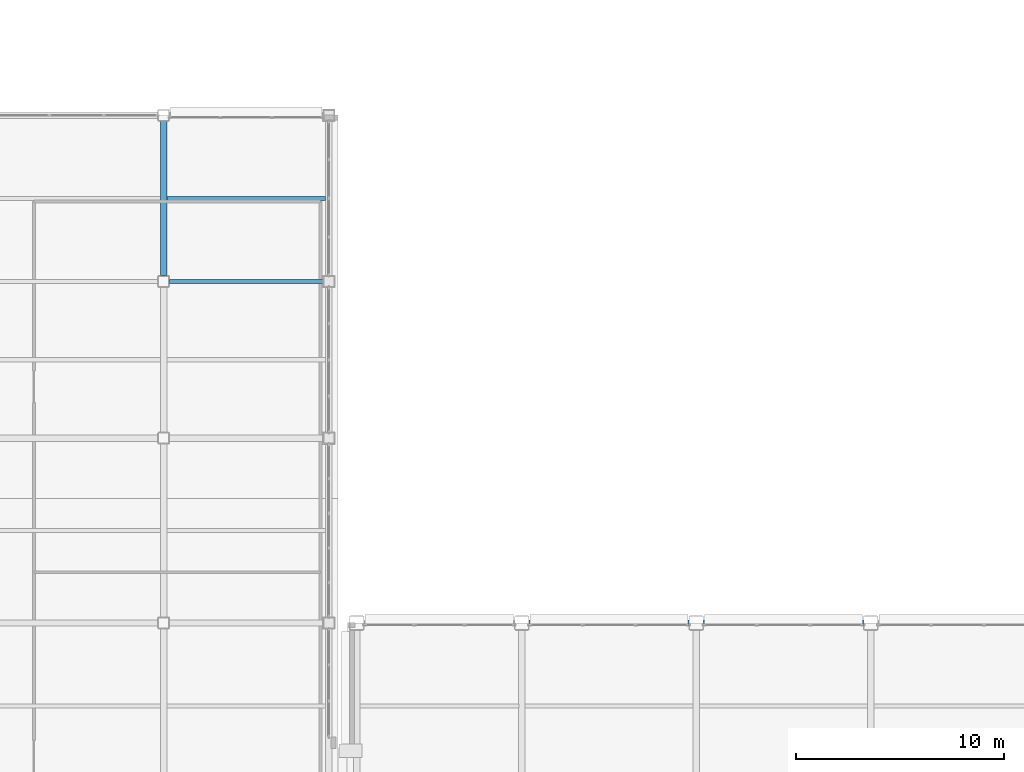
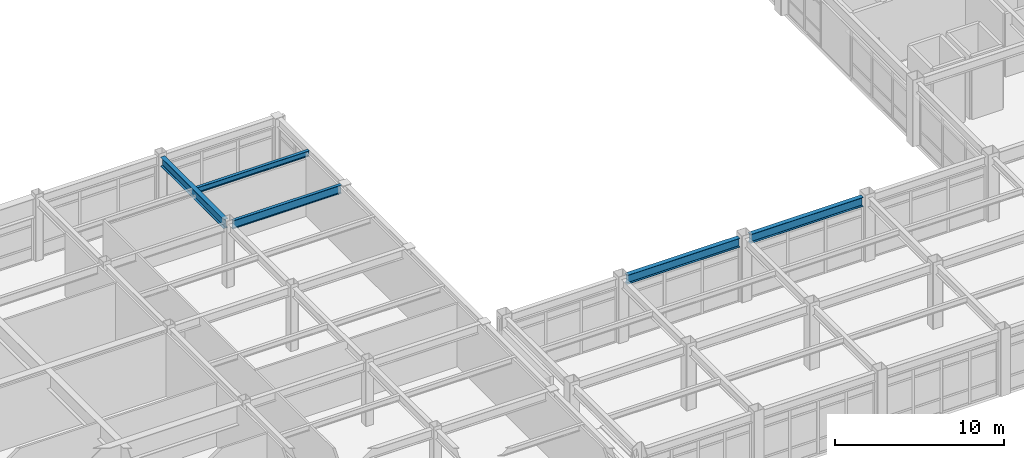
# One storey, part 59 of 154: 5 beams.
"""IFC4 building model written with IfcOpenShell, lengths in metres."""

from ifc_helpers import new_model, si_unit, direction, frame, origin, origin_2d, place, context, subcontext, project, spatial, i_section, extrude, material, material_profile, profile_set, type_object, element, save


model = new_model("IFC4")

# Units and contexts
model_context = context("Model", 3, precision=1e-05, world=origin(), true_north=direction((0.0, 1.0)))
body_context = subcontext(model_context, "Body", "Model", "MODEL_VIEW")
ifc_project = project(units=[si_unit("LENGTHUNIT", "METRE"), si_unit("AREAUNIT", "SQUARE_METRE"), si_unit("VOLUMEUNIT", "CUBIC_METRE"), si_unit("PLANEANGLEUNIT", "RADIAN"), si_unit("MASSUNIT", "GRAM", prefix="KILO")], contexts=[model_context])

# Site, building, storey
site_placement = place(None, origin())
site = spatial("IfcSite", under=ifc_project, at=site_placement, CompositionType="ELEMENT")
building_placement = place(site_placement, origin())
building = spatial("IfcBuilding", under=site, at=building_placement, Name="Kazehara Bluff Congress Hotel", CompositionType="ELEMENT")
storey_placement = place(building_placement, frame((0.0, 0.0, 10.199951171875)))
storey = spatial("IfcBuildingStorey", under=building, at=storey_placement, Name="L02", CompositionType="ELEMENT", Elevation=10.199951171875)

# Beams
ifc_material_1 = material(Name="Steel SN490B", Category="steel")
ifc_material_profile_1 = material_profile(ifc_material_1, i_section(OverallWidth=0.300048828125, OverallDepth=0.64990234375, WebThickness=0.011962890625, FlangeThickness=0.02001953125, FilletRadius=0.012939453125, at=origin_2d()))
ifc_profile_set_1 = profile_set([ifc_material_profile_1], Name="Steel SN490B")
beam_type_1 = type_object("IfcBeamType", Name="TP-G-03", PredefinedType="BEAM", material=ifc_profile_set_1)
beam_1_placement = place(storey_placement, frame((101.25, 48.72509765625, 4.235107421875), z_axis=(0.0, 1.0, 0.0), x_axis=(-1.0, 0.0, 0.0)))
element("IfcBeam", 1, at=beam_1_placement, inside=storey, type_object=beam_type_1, Name="L02 girder G-03 88", PredefinedType="BEAM", context=body_context, shape_type="SweptSolid", body=[
    extrude(i_section(OverallWidth=0.300048828125, OverallDepth=0.64990234375, WebThickness=0.011962890625, FlangeThickness=0.02001953125, FilletRadius=0.012939453125, at=origin_2d()), origin(), (0.0, 0.0, 1.0), 7.449951171875),
])
for number, where, z_axis, x_axis, name in (
    (2, (118.85009765625, 32.0, 4.235107421875), (1.0, 0.0, 0.0), (0.0, 1.0, 0.0), "L02 girder G-03 200"),
    (3, (127.25, 32.0, 4.235107421875), (1.0, 0.0, 0.0), (0.0, 1.0, 0.0), "L02 girder G-03 201"),
):
    element("IfcBeam", number, at=place(storey_placement, frame(where, z_axis=z_axis, x_axis=x_axis)), inside=storey, type_object=beam_type_1, Name=name, PredefinedType="BEAM", context=body_context, shape_type="SweptSolid", body=[
        extrude(i_section(OverallWidth=0.300048828125, OverallDepth=0.64990234375, WebThickness=0.011962890625, FlangeThickness=0.02001953125, FilletRadius=0.012939453125, at=origin_2d()), origin(), (0.0, 0.0, 1.0), 7.699951171875),
    ])
ifc_material_2 = material(Name="Steel SN400B", Category="steel")
ifc_material_profile_2 = material_profile(ifc_material_2, i_section(OverallWidth=0.199951171875, OverallDepth=0.39990234375, WebThickness=0.008056640625, FlangeThickness=0.012939453125, FilletRadius=0.012939453125, at=origin_2d()))
ifc_profile_set_2 = profile_set([ifc_material_profile_2], Name="Steel SN400B")
beam_type_2 = type_object("IfcBeamType", Name="TP-J-03", PredefinedType="JOIST", material=ifc_profile_set_2)
beam_2_placement = place(storey_placement, frame((101.39990234375, 52.449951171875, 4.360107421875), z_axis=(1.0, 0.0, 0.0), x_axis=(0.0, 1.0, 0.0)))
element("IfcBeam", 4, at=beam_2_placement, inside=storey, type_object=beam_type_2, Name="L02 secondary joist J-03 26", PredefinedType="JOIST", context=body_context, shape_type="SweptSolid", body=[
    extrude(i_section(OverallWidth=0.199951171875, OverallDepth=0.39990234375, WebThickness=0.008056640625, FlangeThickness=0.012939453125, FilletRadius=0.012939453125, at=origin_2d()), origin(), (0.0, 0.0, 1.0), 7.650146484375),
])
ifc_material_3 = material(Name="Steel SN490B", Category="steel")
ifc_material_profile_3 = material_profile(ifc_material_3, i_section(OverallWidth=0.199951171875, OverallDepth=0.60009765625, WebThickness=0.010986328125, FlangeThickness=0.01708984375, FilletRadius=0.012939453125, at=origin_2d()))
ifc_profile_set_3 = profile_set([ifc_material_profile_3], Name="Steel SN490B")
beam_type_3 = type_object("IfcBeamType", Name="TP-SP-02", PredefinedType="SPANDREL", material=ifc_profile_set_3)
beam_3_placement = place(storey_placement, frame((101.52490234375, 48.449951171875, 4.260009765625), z_axis=(1.0, 0.0, 0.0), x_axis=(0.0, 1.0, 0.0)))
element("IfcBeam", 5, at=beam_3_placement, inside=storey, type_object=beam_type_3, Name="L02 girder SP-02 123", PredefinedType="SPANDREL", context=body_context, shape_type="SweptSolid", body=[
    extrude(i_section(OverallWidth=0.199951171875, OverallDepth=0.60009765625, WebThickness=0.010986328125, FlangeThickness=0.01708984375, FilletRadius=0.012939453125, at=origin_2d()), origin(), (0.0, 0.0, 1.0), 7.400146484375),
])

save(model, "model.ifc")
